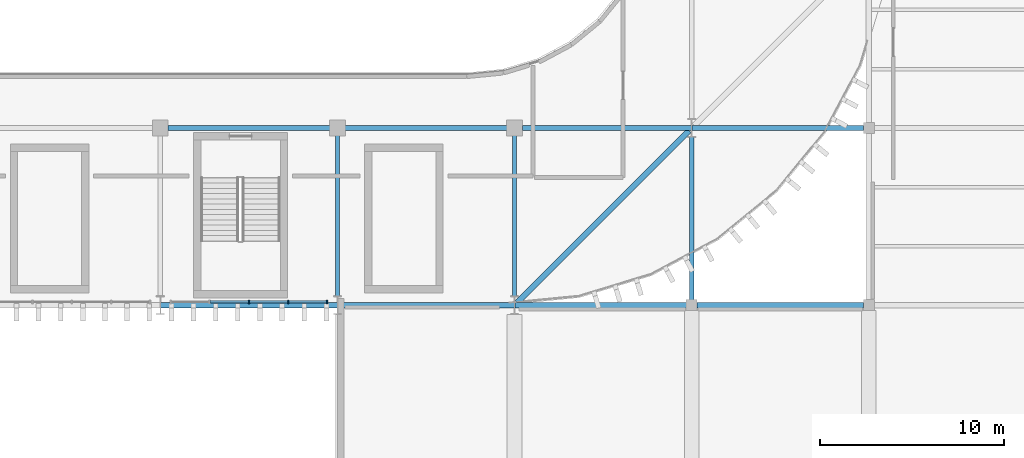
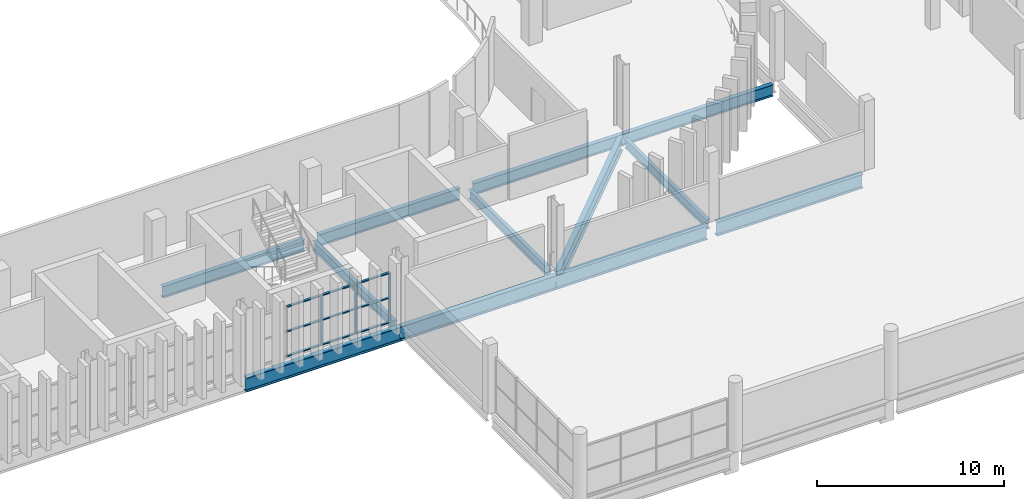
# One storey, part 25 of 92: 12 beams, 12 members, 1 element without a shape of its own.
"""IFC4 building model written with IfcOpenShell, lengths in metres."""

from ifc_helpers import new_model, si_unit, direction, frame, origin, origin_2d, place, context, subcontext, project, spatial, rectangle, i_section, extrude, material, layer, layer_set, material_profile, profile_set, type_object, element, aggregate, save


model = new_model("IFC4")

# Units and contexts
model_context = context("Model", 3, precision=1e-05, world=origin(), true_north=direction((0.0, 1.0)))
body_context = subcontext(model_context, "Body", "Model", "MODEL_VIEW")
ifc_project = project(units=[si_unit("LENGTHUNIT", "METRE"), si_unit("AREAUNIT", "SQUARE_METRE"), si_unit("VOLUMEUNIT", "CUBIC_METRE"), si_unit("PLANEANGLEUNIT", "RADIAN"), si_unit("MASSUNIT", "GRAM", prefix="KILO")], contexts=[model_context])

# Site, building, storey
site_placement = place(None, origin())
site = spatial("IfcSite", under=ifc_project, at=site_placement, CompositionType="ELEMENT")
building_placement = place(site_placement, origin())
building = spatial("IfcBuilding", under=site, at=building_placement, Name="Caelomonte Colonnade Arena", CompositionType="ELEMENT")
storey_placement = place(building_placement, frame((0.0, 0.0, 9.60009765625)))
storey = spatial("IfcBuildingStorey", under=building, at=storey_placement, Name="L02", CompositionType="ELEMENT", Elevation=9.60009765625)

# Curtain wall, members
ifc_material_1 = material(Name="Bronze anodised aluminium and low-E glazing", Category="aluminium")
ifc_layer = layer(ifc_material_1, 0.179931640625)
ifc_layer_set = layer_set([ifc_layer], Name="Bronze anodised aluminium and low-E glazing")
curtain_wall_type = type_object("IfcCurtainWallType", Name="ENV-CW-CW-L02-96-33", PredefinedType="USERDEFINED", material=ifc_layer_set)
curtain_wall_placement = place(storey_placement, origin())
curtain_wall = element("IfcCurtainWall", 1, at=curtain_wall_placement, inside=storey, type_object=curtain_wall_type, Name="L02 unitized curtain wall CW-L02-1296-0194", ObjectType="UNITIZED CURTAIN WALL", PredefinedType="USERDEFINED")
ifc_material_2 = material(Name="Bronze anodised aluminium AA6063-T6", Category="aluminium")
ifc_material_profile_1 = material_profile(ifc_material_2, rectangle(XDim=0.070068359375, YDim=0.179931640625, at=origin_2d()), Name="CWM-70X180")
ifc_profile_set_1 = profile_set([ifc_material_profile_1], Name="Bronze anodised aluminium AA6063-T6")
member_type_1 = type_object("IfcMemberType", Name="ENV-CW-MULL1", PredefinedType="MULLION", material=ifc_profile_set_1)
member_1_placement = place(storey_placement, frame((129.60009765625, 19.3798828125, 0.0), z_axis=(0.0, 0.0, 1.0), x_axis=(1.0, 0.0, 0.0)))
member_1 = element("IfcMember", 2, at=member_1_placement, type_object=member_type_1, Name="CW-L02-96-33 mullion 3", PredefinedType="MULLION", context=body_context, shape_type="SweptSolid", body=[
    extrude(rectangle(XDim=0.070068359375, YDim=0.179931640625, at=origin_2d()), origin(), (0.0, 0.0, 1.0), 3.29296875),
])
member_2_placement = place(storey_placement, frame((131.7373046875, 19.3798828125, 0.0), z_axis=(0.0, 0.0, 1.0), x_axis=(1.0, 0.0, 0.0)))
member_2 = element("IfcMember", 3, at=member_2_placement, type_object=member_type_1, Name="CW-L02-96-33 mullion 4", PredefinedType="MULLION", context=body_context, shape_type="SweptSolid", body=[
    extrude(rectangle(XDim=0.070068359375, YDim=0.179931640625, at=origin_2d()), origin(), (0.0, 0.0, 1.0), 3.29296875),
])
member_3_placement = place(storey_placement, frame((133.839599609375, 19.3798828125, 0.0), z_axis=(0.0, 0.0, 1.0), x_axis=(1.0, 0.0, 0.0)))
member_3 = element("IfcMember", 4, at=member_3_placement, type_object=member_type_1, Name="CW-L02-96-33 mullion 5", PredefinedType="MULLION", context=body_context, shape_type="SweptSolid", body=[
    extrude(rectangle(XDim=0.070068359375, YDim=0.179931640625, at=origin_2d()), origin(), (0.0, 0.0, 1.0), 3.29296875),
])
ifc_material_profile_2 = material_profile(ifc_material_2, rectangle(XDim=0.070068359375, YDim=0.139892578125, at=origin_2d()), Name="CWT-70X140")
ifc_profile_set_2 = profile_set([ifc_material_profile_2], Name="Bronze anodised aluminium AA6063-T6")
member_type_2 = type_object("IfcMemberType", Name="ENV-CW-TRAN1", PredefinedType="USERDEFINED", material=ifc_profile_set_2)
member_4_placement = place(storey_placement, frame((127.497802734375, 19.3798828125, 0.034912109375), z_axis=(1.0, 0.0, 0.0), x_axis=(0.0, 0.0, 1.0)))
member_4 = element("IfcMember", 5, at=member_4_placement, type_object=member_type_2, Name="CW-L02-96-33 transom 2.1", ObjectType="TRANSOM", PredefinedType="USERDEFINED", context=body_context, shape_type="SweptSolid", body=[
    extrude(rectangle(XDim=0.070068359375, YDim=0.139892578125, at=origin_2d()), origin(), (0.0, 0.0, 1.0), 2.067138671875),
])
member_5_placement = place(storey_placement, frame((127.497802734375, 19.3798828125, 1.646484375), z_axis=(1.0, 0.0, 0.0), x_axis=(0.0, 0.0, 1.0)))
member_5 = element("IfcMember", 6, at=member_5_placement, type_object=member_type_2, Name="CW-L02-96-33 transom 2.2", ObjectType="TRANSOM", PredefinedType="USERDEFINED", context=body_context, shape_type="SweptSolid", body=[
    extrude(rectangle(XDim=0.070068359375, YDim=0.139892578125, at=origin_2d()), origin(), (0.0, 0.0, 1.0), 2.067138671875),
])
member_6_placement = place(storey_placement, frame((127.497802734375, 19.3798828125, 3.2578125), z_axis=(1.0, 0.0, 0.0), x_axis=(0.0, 0.0, 1.0)))
member_6 = element("IfcMember", 7, at=member_6_placement, type_object=member_type_2, Name="CW-L02-96-33 transom 2.3", ObjectType="TRANSOM", PredefinedType="USERDEFINED", context=body_context, shape_type="SweptSolid", body=[
    extrude(rectangle(XDim=0.070068359375, YDim=0.139892578125, at=origin_2d()), origin(), (0.0, 0.0, 1.0), 2.067138671875),
])
member_7_placement = place(storey_placement, frame((129.635009765625, 19.3798828125, 0.034912109375), z_axis=(1.0, 0.0, 0.0), x_axis=(0.0, 0.0, 1.0)))
member_7 = element("IfcMember", 8, at=member_7_placement, type_object=member_type_2, Name="CW-L02-96-33 transom 3.1", ObjectType="TRANSOM", PredefinedType="USERDEFINED", context=body_context, shape_type="SweptSolid", body=[
    extrude(rectangle(XDim=0.070068359375, YDim=0.139892578125, at=origin_2d()), origin(), (0.0, 0.0, 1.0), 2.067138671875),
])
member_8_placement = place(storey_placement, frame((129.635009765625, 19.3798828125, 1.646484375), z_axis=(1.0, 0.0, 0.0), x_axis=(0.0, 0.0, 1.0)))
member_8 = element("IfcMember", 9, at=member_8_placement, type_object=member_type_2, Name="CW-L02-96-33 transom 3.2", ObjectType="TRANSOM", PredefinedType="USERDEFINED", context=body_context, shape_type="SweptSolid", body=[
    extrude(rectangle(XDim=0.070068359375, YDim=0.139892578125, at=origin_2d()), origin(), (0.0, 0.0, 1.0), 2.067138671875),
])
member_9_placement = place(storey_placement, frame((129.635009765625, 19.3798828125, 3.2578125), z_axis=(1.0, 0.0, 0.0), x_axis=(0.0, 0.0, 1.0)))
member_9 = element("IfcMember", 10, at=member_9_placement, type_object=member_type_2, Name="CW-L02-96-33 transom 3.3", ObjectType="TRANSOM", PredefinedType="USERDEFINED", context=body_context, shape_type="SweptSolid", body=[
    extrude(rectangle(XDim=0.070068359375, YDim=0.139892578125, at=origin_2d()), origin(), (0.0, 0.0, 1.0), 2.067138671875),
])
member_10_placement = place(storey_placement, frame((131.772216796875, 19.3798828125, 0.034912109375), z_axis=(1.0, 0.0, 0.0), x_axis=(0.0, 0.0, 1.0)))
member_10 = element("IfcMember", 11, at=member_10_placement, type_object=member_type_2, Name="CW-L02-96-33 transom 4.1", ObjectType="TRANSOM", PredefinedType="USERDEFINED", context=body_context, shape_type="SweptSolid", body=[
    extrude(rectangle(XDim=0.070068359375, YDim=0.139892578125, at=origin_2d()), origin(), (0.0, 0.0, 1.0), 2.0322265625),
])
member_11_placement = place(storey_placement, frame((131.772216796875, 19.3798828125, 1.646484375), z_axis=(1.0, 0.0, 0.0), x_axis=(0.0, 0.0, 1.0)))
member_11 = element("IfcMember", 12, at=member_11_placement, type_object=member_type_2, Name="CW-L02-96-33 transom 4.2", ObjectType="TRANSOM", PredefinedType="USERDEFINED", context=body_context, shape_type="SweptSolid", body=[
    extrude(rectangle(XDim=0.070068359375, YDim=0.139892578125, at=origin_2d()), origin(), (0.0, 0.0, 1.0), 2.0322265625),
])
member_12_placement = place(storey_placement, frame((131.772216796875, 19.3798828125, 3.2578125), z_axis=(1.0, 0.0, 0.0), x_axis=(0.0, 0.0, 1.0)))
member_12 = element("IfcMember", 13, at=member_12_placement, type_object=member_type_2, Name="CW-L02-96-33 transom 4.3", ObjectType="TRANSOM", PredefinedType="USERDEFINED", context=body_context, shape_type="SweptSolid", body=[
    extrude(rectangle(XDim=0.070068359375, YDim=0.139892578125, at=origin_2d()), origin(), (0.0, 0.0, 1.0), 2.0322265625),
])
aggregate(curtain_wall, [member_1, member_2, member_3, member_4, member_5, member_6, member_7, member_8, member_9, member_10, member_11, member_12])

# Beams
ifc_material_3 = material(Name="Wide-flange steel ASTM A992 Grade 50", Category="steel")
ifc_material_profile_3 = material_profile(ifc_material_3, i_section(OverallWidth=0.307861328125, OverallDepth=0.927001953125, WebThickness=0.019287109375, FlangeThickness=0.031982421875, FilletRadius=0.020263671875, at=origin_2d()), Name="W36X194")
ifc_profile_set_3 = profile_set([ifc_material_profile_3], Name="Wide-flange steel ASTM A992 Grade 50")
beam_type_1 = type_object("IfcBeamType", Name="STR-BM-EAVES2", PredefinedType="SPANDREL", material=ifc_profile_set_3)
for number, where, z_axis, x_axis, name in (
    (14, (124.811767578125, 19.199951171875, -0.74365234375), (1.0, 0.0, 0.0), (0.0, 1.0, 0.0), "L02 girder BMX-L02-1248-0192"),
    (15, (134.411865234375, 19.199951171875, -0.74365234375), (1.0, 0.0, 0.0), (0.0, 1.0, 0.0), "L02 girder BMX-L02-1344-0192"),
):
    element("IfcBeam", number, at=place(storey_placement, frame(where, z_axis=z_axis, x_axis=x_axis)), inside=storey, type_object=beam_type_1, Name=name, PredefinedType="SPANDREL", context=body_context, shape_type="SweptSolid", body=[
        extrude(i_section(OverallWidth=0.307861328125, OverallDepth=0.927001953125, WebThickness=0.019287109375, FlangeThickness=0.031982421875, FilletRadius=0.020263671875, at=origin_2d()), origin(), (0.0, 0.0, 1.0), 9.576416015625),
    ])
beam_1_placement = place(storey_placement, frame((144.01171875, 19.199951171875, -0.74365234375), z_axis=(1.0, 0.0, 0.0), x_axis=(0.0, 1.0, 0.0)))
element("IfcBeam", 16, at=beam_1_placement, inside=storey, type_object=beam_type_1, Name="L02 girder BMX-L02-1440-0192", PredefinedType="SPANDREL", context=body_context, shape_type="SweptSolid", body=[
    extrude(i_section(OverallWidth=0.307861328125, OverallDepth=0.927001953125, WebThickness=0.019287109375, FlangeThickness=0.031982421875, FilletRadius=0.020263671875, at=origin_2d()), origin(), (0.0, 0.0, 1.0), 9.29638671875),
])
beam_2_placement = place(storey_placement, frame((153.89208984375, 19.199951171875, -0.74365234375), z_axis=(1.0, 0.0, 0.0), x_axis=(0.0, 1.0, 0.0)))
element("IfcBeam", 17, at=beam_2_placement, inside=storey, type_object=beam_type_1, Name="L02 girder BMX-L02-1536-0192", PredefinedType="SPANDREL", context=body_context, shape_type="SweptSolid", body=[
    extrude(i_section(OverallWidth=0.307861328125, OverallDepth=0.927001953125, WebThickness=0.019287109375, FlangeThickness=0.031982421875, FilletRadius=0.020263671875, at=origin_2d()), origin(), (0.0, 0.0, 1.0), 9.015869140625),
])
beam_3_placement = place(storey_placement, frame((144.142578125, 19.342529296875, -0.74365234375), z_axis=(0.707106781187, 0.707106781187, 0.0), x_axis=(-0.707106781187, 0.707106781187, 0.0)))
element("IfcBeam", 18, at=beam_3_placement, inside=storey, type_object=beam_type_1, Name="L02 drum corner ring girder 3", PredefinedType="SPANDREL", context=body_context, shape_type="SweptSolid", body=[
    extrude(i_section(OverallWidth=0.307861328125, OverallDepth=0.927001953125, WebThickness=0.019287109375, FlangeThickness=0.031982421875, FilletRadius=0.020263671875, at=origin_2d()), origin(), (0.0, 0.0, 1.0), 13.17333984375),
])
ifc_material_profile_4 = material_profile(ifc_material_3, i_section(OverallWidth=0.228271484375, OverallDepth=0.607177734375, WebThickness=0.01123046875, FlangeThickness=0.017333984375, FilletRadius=0.0126953125, at=origin_2d()), Name="W24X76")
ifc_profile_set_4 = profile_set([ifc_material_profile_4], Name="Wide-flange steel ASTM A992 Grade 50")
beam_type_2 = type_object("IfcBeamType", Name="STR-BM-GIRD24", PredefinedType="BEAM", material=ifc_profile_set_4)
for number, where, z_axis, x_axis, name in (
    (19, (134.39990234375, 19.697509765625, -0.58349609375), (0.0, 1.0, 0.0), (-1.0, 0.0, 0.0), "L02 girder BMY-L02-1344-0192"),
    (20, (144.0, 19.697509765625, -0.58349609375), (0.0, 1.0, 0.0), (-1.0, 0.0, 0.0), "L02 girder BMY-L02-1440-0192"),
):
    element("IfcBeam", number, at=place(storey_placement, frame(where, z_axis=z_axis, x_axis=x_axis)), inside=storey, type_object=beam_type_2, Name=name, PredefinedType="BEAM", context=body_context, shape_type="SweptSolid", body=[
        extrude(i_section(OverallWidth=0.228271484375, OverallDepth=0.607177734375, WebThickness=0.01123046875, FlangeThickness=0.017333984375, FilletRadius=0.0126953125, at=origin_2d()), origin(), (0.0, 0.0, 1.0), 8.685546875),
    ])
beam_4_placement = place(storey_placement, frame((153.60009765625, 19.491943359375, -0.58349609375), z_axis=(0.0, 1.0, 0.0), x_axis=(-1.0, 0.0, 0.0)))
element("IfcBeam", 21, at=beam_4_placement, inside=storey, type_object=beam_type_2, Name="L02 girder BMY-L02-1536-0192", PredefinedType="BEAM", context=body_context, shape_type="SweptSolid", body=[
    extrude(i_section(OverallWidth=0.228271484375, OverallDepth=0.607177734375, WebThickness=0.01123046875, FlangeThickness=0.017333984375, FilletRadius=0.0126953125, at=origin_2d()), origin(), (0.0, 0.0, 1.0), 8.810546875),
])
ifc_material_profile_5 = material_profile(ifc_material_3, i_section(OverallWidth=0.2666015625, OverallDepth=0.761962890625, WebThickness=0.014404296875, FlangeThickness=0.021484375, FilletRadius=0.0166015625, at=origin_2d()), Name="W30X116")
ifc_profile_set_5 = profile_set([ifc_material_profile_5], Name="Wide-flange steel ASTM A992 Grade 50")
beam_type_3 = type_object("IfcBeamType", Name="STR-BM-GIRD30", PredefinedType="BEAM", material=ifc_profile_set_5)
beam_5_placement = place(storey_placement, frame((125.217041015625, 28.800048828125, -0.6611328125), z_axis=(1.0, 0.0, 0.0), x_axis=(0.0, 1.0, 0.0)))
element("IfcBeam", 22, at=beam_5_placement, inside=storey, type_object=beam_type_3, Name="L02 girder BMX-L02-1248-0288", PredefinedType="BEAM", context=body_context, shape_type="SweptSolid", body=[
    extrude(i_section(OverallWidth=0.2666015625, OverallDepth=0.761962890625, WebThickness=0.014404296875, FlangeThickness=0.021484375, FilletRadius=0.0166015625, at=origin_2d()), origin(), (0.0, 0.0, 1.0), 8.765869140625),
])
beam_6_placement = place(storey_placement, frame((134.81689453125, 28.800048828125, -0.6611328125), z_axis=(1.0, 0.0, 0.0), x_axis=(0.0, 1.0, 0.0)))
element("IfcBeam", 23, at=beam_6_placement, inside=storey, type_object=beam_type_3, Name="L02 girder BMX-L02-1344-0288", PredefinedType="BEAM", context=body_context, shape_type="SweptSolid", body=[
    extrude(i_section(OverallWidth=0.2666015625, OverallDepth=0.761962890625, WebThickness=0.014404296875, FlangeThickness=0.021484375, FilletRadius=0.0166015625, at=origin_2d()), origin(), (0.0, 0.0, 1.0), 8.76611328125),
])
beam_7_placement = place(storey_placement, frame((144.4169921875, 28.800048828125, -0.6611328125), z_axis=(1.0, 0.0, 0.0), x_axis=(0.0, 1.0, 0.0)))
element("IfcBeam", 24, at=beam_7_placement, inside=storey, type_object=beam_type_3, Name="L02 girder BMX-L02-1440-0288", PredefinedType="BEAM", context=body_context, shape_type="SweptSolid", body=[
    extrude(i_section(OverallWidth=0.2666015625, OverallDepth=0.761962890625, WebThickness=0.014404296875, FlangeThickness=0.021484375, FilletRadius=0.0166015625, at=origin_2d()), origin(), (0.0, 0.0, 1.0), 9.171142578125),
])
beam_8_placement = place(storey_placement, frame((153.61181640625, 28.800048828125, -0.6611328125), z_axis=(1.0, 0.0, 0.0), x_axis=(0.0, 1.0, 0.0)))
element("IfcBeam", 25, at=beam_8_placement, inside=storey, type_object=beam_type_3, Name="L02 girder BMX-L02-1536-0288", PredefinedType="BEAM", context=body_context, shape_type="SweptSolid", body=[
    extrude(i_section(OverallWidth=0.2666015625, OverallDepth=0.761962890625, WebThickness=0.014404296875, FlangeThickness=0.021484375, FilletRadius=0.0166015625, at=origin_2d()), origin(), (0.0, 0.0, 1.0), 9.296142578125),
])

save(model, "model.ifc")
